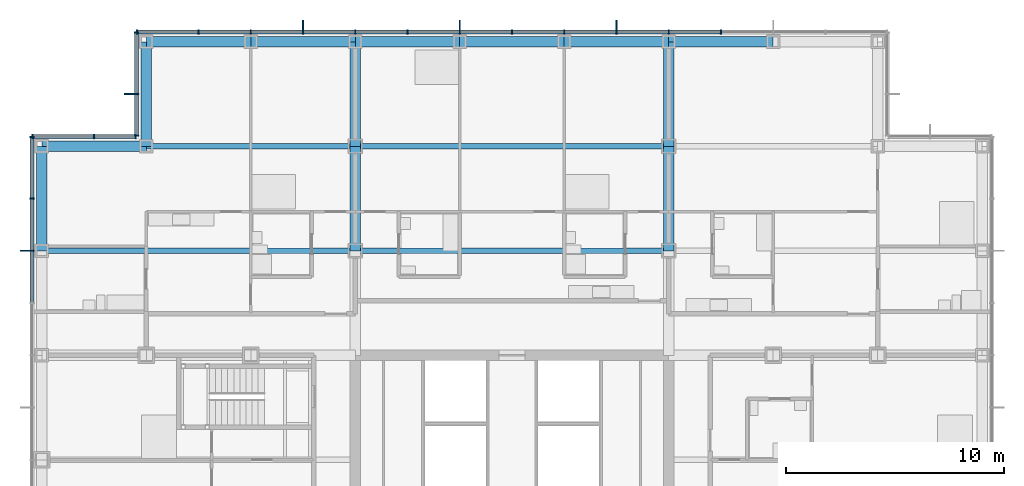
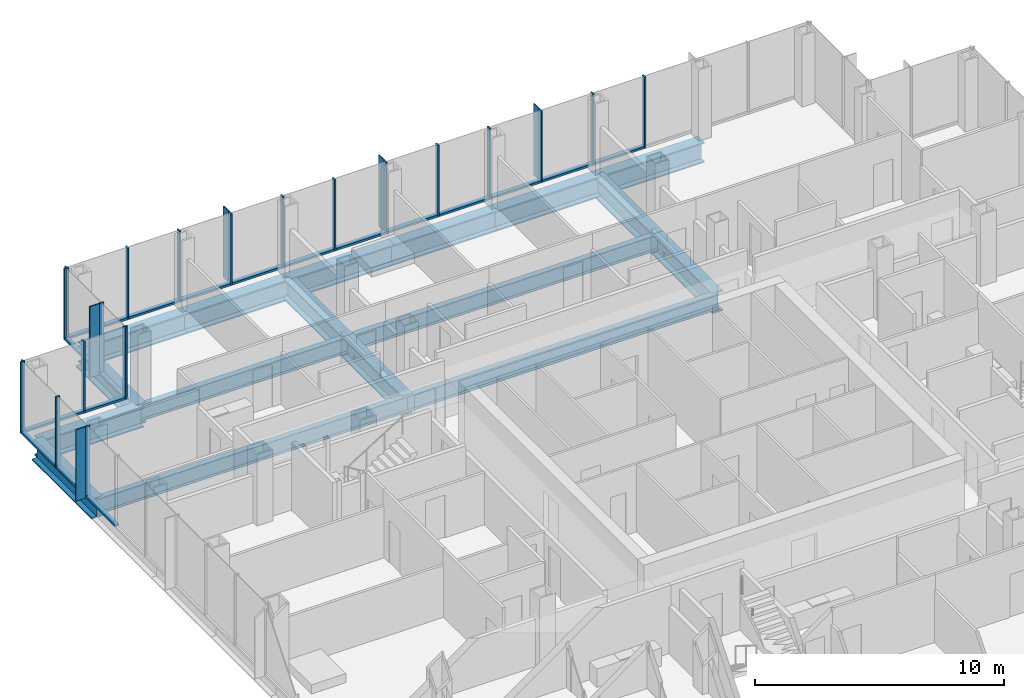
# One storey, part 10 of 21: 44 members, 17 beams, 4 elements without a shape of their own.
"""IFC4 building model written with IfcOpenShell, lengths in metres."""

from ifc_helpers import new_model, si_unit, direction, frame, origin, origin_2d, place, context, subcontext, project, spatial, rectangle, i_section, extrude, material, material_profile, profile_set, type_object, element, aggregate, save


model = new_model("IFC4")

# Units and contexts
model_context = context("Model", 3, precision=1e-05, world=origin(), true_north=direction((0.0, 1.0)))
body_context = subcontext(model_context, "Body", "Model", "MODEL_VIEW")
ifc_project = project(units=[si_unit("LENGTHUNIT", "METRE"), si_unit("AREAUNIT", "SQUARE_METRE"), si_unit("VOLUMEUNIT", "CUBIC_METRE"), si_unit("PLANEANGLEUNIT", "RADIAN"), si_unit("MASSUNIT", "GRAM", prefix="KILO")], contexts=[model_context])

# Site, building, storey
site_placement = place(None, origin())
site = spatial("IfcSite", under=ifc_project, at=site_placement, CompositionType="ELEMENT")
building_placement = place(site_placement, origin())
building = spatial("IfcBuilding", under=site, at=building_placement, Name="Kvirike Care Tower", CompositionType="ELEMENT")
storey_placement = place(building_placement, frame((0.0, 0.0, 62.0)))
storey = spatial("IfcBuildingStorey", under=building, at=storey_placement, Name="L16", CompositionType="ELEMENT", Elevation=62.0)

# Curtain wall, member
ifc_material_1 = material(Name="Anodised aluminium stick system", Category="aluminium")
curtain_wall_type = type_object("IfcCurtainWallType", Name="CW-A STICK CURTAIN WALL", PredefinedType="NOTDEFINED", material=ifc_material_1)
curtain_wall_1_placement = place(storey_placement, origin())
curtain_wall_1 = element("IfcCurtainWall", 1, at=curtain_wall_1_placement, inside=storey, type_object=curtain_wall_type, Name="Curtain wall L16 face 1", PredefinedType="NOTDEFINED")
ifc_material_2 = material(Name="Bronze anodised aluminium fin", Category="aluminium")
ifc_material_profile_1 = material_profile(ifc_material_2, rectangle(XDim=0.050048828125, YDim=0.449951171875, at=origin_2d()), Name="BRONZE FIN 450")
ifc_profile_set_1 = profile_set([ifc_material_profile_1], Name="Bronze anodised aluminium fin")
member_type_1 = type_object("IfcMemberType", Name="BRONZE FIN 450", PredefinedType="USERDEFINED", material=ifc_profile_set_1)
member_1_placement = place(storey_placement, frame((-0.77490234375, 48.0, 0.0), z_axis=(0.0, 0.0, 1.0), x_axis=(0.0, -1.0, 0.0)))
member_1 = element("IfcMember", 2, at=member_1_placement, type_object=member_type_1, Name="Bronze fin L16 face 1.3", ObjectType="FIN", PredefinedType="USERDEFINED", context=body_context, shape_type="SweptSolid", body=[
    extrude(rectangle(XDim=0.050048828125, YDim=0.449951171875, at=origin_2d()), origin(), (0.0, 0.0, 1.0), 3.5),
])

# Curtain wall, members
curtain_wall_2_placement = place(storey_placement, origin())
curtain_wall_2 = element("IfcCurtainWall", 3, at=curtain_wall_2_placement, inside=storey, type_object=curtain_wall_type, Name="Curtain wall L16 face 10", PredefinedType="NOTDEFINED")
member_2_placement = place(storey_placement, frame((26.39990234375, 58.375, 0.0), z_axis=(0.0, 0.0, 1.0), x_axis=(-1.0, 0.0, 0.0)))
member_2 = element("IfcMember", 4, at=member_2_placement, type_object=member_type_1, Name="Bronze fin L16 face 10.6", ObjectType="FIN", PredefinedType="USERDEFINED", context=body_context, shape_type="SweptSolid", body=[
    extrude(rectangle(XDim=0.050048828125, YDim=0.449951171875, at=origin_2d()), origin(), (0.0, 0.0, 1.0), 3.5),
])
member_3_placement = place(storey_placement, frame((19.199951171875, 58.375, 0.0), z_axis=(0.0, 0.0, 1.0), x_axis=(-1.0, 0.0, 0.0)))
member_3 = element("IfcMember", 5, at=member_3_placement, type_object=member_type_1, Name="Bronze fin L16 face 10.9", ObjectType="FIN", PredefinedType="USERDEFINED", context=body_context, shape_type="SweptSolid", body=[
    extrude(rectangle(XDim=0.050048828125, YDim=0.449951171875, at=origin_2d()), origin(), (0.0, 0.0, 1.0), 3.5),
])
member_4_placement = place(storey_placement, frame((12.0, 58.375, 0.0), z_axis=(0.0, 0.0, 1.0), x_axis=(-1.0, 0.0, 0.0)))
member_4 = element("IfcMember", 6, at=member_4_placement, type_object=member_type_1, Name="Bronze fin L16 face 10.12", ObjectType="FIN", PredefinedType="USERDEFINED", context=body_context, shape_type="SweptSolid", body=[
    extrude(rectangle(XDim=0.050048828125, YDim=0.449951171875, at=origin_2d()), origin(), (0.0, 0.0, 1.0), 3.5),
])

# Curtain wall, member
curtain_wall_3_placement = place(storey_placement, origin())
curtain_wall_3 = element("IfcCurtainWall", 7, at=curtain_wall_3_placement, inside=storey, type_object=curtain_wall_type, Name="Curtain wall L16 face 11", PredefinedType="NOTDEFINED")
member_5_placement = place(storey_placement, frame((4.02490234375, 55.199951171875, 0.0), z_axis=(0.0, 0.0, 1.0), x_axis=(0.0, -1.0, 0.0)))
member_5 = element("IfcMember", 8, at=member_5_placement, type_object=member_type_1, Name="Bronze fin L16 face 11.2", ObjectType="FIN", PredefinedType="USERDEFINED", context=body_context, shape_type="SweptSolid", body=[
    extrude(rectangle(XDim=0.050048828125, YDim=0.449951171875, at=origin_2d()), origin(), (0.0, 0.0, 1.0), 3.5),
])

# Member
ifc_material_3 = material(Name="Bronze anodised aluminium mullion", Category="aluminium")
ifc_material_profile_2 = material_profile(ifc_material_3, rectangle(XDim=0.06494140625, YDim=0.199951171875, at=origin_2d()), Name="CW-A MULLION 65x200")
ifc_profile_set_2 = profile_set([ifc_material_profile_2], Name="Bronze anodised aluminium mullion")
member_type_2 = type_object("IfcMemberType", Name="CW-A MULLION 65x200", PredefinedType="MULLION", material=ifc_profile_set_2)
member_6_placement = place(storey_placement, frame((-0.449951171875, 53.217529296875, 0.0), z_axis=(0.0, 0.0, 1.0), x_axis=(0.0, -1.0, 0.0)))
member_6 = element("IfcMember", 9, at=member_6_placement, type_object=member_type_2, Name="CW-A mullion L16 face 1.1", PredefinedType="MULLION", context=body_context, shape_type="SweptSolid", body=[
    extrude(rectangle(XDim=0.06494140625, YDim=0.199951171875, at=origin_2d()), origin(), (0.0, 0.0, 1.0), 3.5),
])

member_7_placement = place(storey_placement, frame((-0.449951171875, 50.39990234375, 0.0), z_axis=(0.0, 0.0, 1.0), x_axis=(0.0, -1.0, 0.0)))
member_7 = element("IfcMember", 10, at=member_7_placement, type_object=member_type_2, Name="CW-A mullion L16 face 1.2", PredefinedType="MULLION", context=body_context, shape_type="SweptSolid", body=[
    extrude(rectangle(XDim=0.06494140625, YDim=0.199951171875, at=origin_2d()), origin(), (0.0, 0.0, 1.0), 3.5),
])

member_8_placement = place(storey_placement, frame((-0.449951171875, 48.0, 0.0), z_axis=(0.0, 0.0, 1.0), x_axis=(0.0, -1.0, 0.0)))
member_8 = element("IfcMember", 11, at=member_8_placement, type_object=member_type_2, Name="CW-A mullion L16 face 1.3", PredefinedType="MULLION", context=body_context, shape_type="SweptSolid", body=[
    extrude(rectangle(XDim=0.06494140625, YDim=0.199951171875, at=origin_2d()), origin(), (0.0, 0.0, 1.0), 3.5),
])

member_9_placement = place(storey_placement, frame((31.199951171875, 58.050048828125, 0.0), z_axis=(0.0, 0.0, 1.0), x_axis=(-1.0, 0.0, 0.0)))
member_9 = element("IfcMember", 12, at=member_9_placement, type_object=member_type_2, Name="CW-A mullion L16 face 10.4", PredefinedType="MULLION", context=body_context, shape_type="SweptSolid", body=[
    extrude(rectangle(XDim=0.06494140625, YDim=0.199951171875, at=origin_2d()), origin(), (0.0, 0.0, 1.0), 3.5),
])

member_10_placement = place(storey_placement, frame((28.800048828125, 58.050048828125, 0.0), z_axis=(0.0, 0.0, 1.0), x_axis=(-1.0, 0.0, 0.0)))
member_10 = element("IfcMember", 13, at=member_10_placement, type_object=member_type_2, Name="CW-A mullion L16 face 10.5", PredefinedType="MULLION", context=body_context, shape_type="SweptSolid", body=[
    extrude(rectangle(XDim=0.06494140625, YDim=0.199951171875, at=origin_2d()), origin(), (0.0, 0.0, 1.0), 3.5),
])

member_11_placement = place(storey_placement, frame((26.39990234375, 58.050048828125, 0.0), z_axis=(0.0, 0.0, 1.0), x_axis=(-1.0, 0.0, 0.0)))
member_11 = element("IfcMember", 14, at=member_11_placement, type_object=member_type_2, Name="CW-A mullion L16 face 10.6", PredefinedType="MULLION", context=body_context, shape_type="SweptSolid", body=[
    extrude(rectangle(XDim=0.06494140625, YDim=0.199951171875, at=origin_2d()), origin(), (0.0, 0.0, 1.0), 3.5),
])

member_12_placement = place(storey_placement, frame((24.0, 58.050048828125, 0.0), z_axis=(0.0, 0.0, 1.0), x_axis=(-1.0, 0.0, 0.0)))
member_12 = element("IfcMember", 15, at=member_12_placement, type_object=member_type_2, Name="CW-A mullion L16 face 10.7", PredefinedType="MULLION", context=body_context, shape_type="SweptSolid", body=[
    extrude(rectangle(XDim=0.06494140625, YDim=0.199951171875, at=origin_2d()), origin(), (0.0, 0.0, 1.0), 3.5),
])

member_13_placement = place(storey_placement, frame((21.60009765625, 58.050048828125, 0.0), z_axis=(0.0, 0.0, 1.0), x_axis=(-1.0, 0.0, 0.0)))
member_13 = element("IfcMember", 16, at=member_13_placement, type_object=member_type_2, Name="CW-A mullion L16 face 10.8", PredefinedType="MULLION", context=body_context, shape_type="SweptSolid", body=[
    extrude(rectangle(XDim=0.06494140625, YDim=0.199951171875, at=origin_2d()), origin(), (0.0, 0.0, 1.0), 3.5),
])

member_14_placement = place(storey_placement, frame((19.199951171875, 58.050048828125, 0.0), z_axis=(0.0, 0.0, 1.0), x_axis=(-1.0, 0.0, 0.0)))
member_14 = element("IfcMember", 17, at=member_14_placement, type_object=member_type_2, Name="CW-A mullion L16 face 10.9", PredefinedType="MULLION", context=body_context, shape_type="SweptSolid", body=[
    extrude(rectangle(XDim=0.06494140625, YDim=0.199951171875, at=origin_2d()), origin(), (0.0, 0.0, 1.0), 3.5),
])

member_15_placement = place(storey_placement, frame((16.800048828125, 58.050048828125, 0.0), z_axis=(0.0, 0.0, 1.0), x_axis=(-1.0, 0.0, 0.0)))
member_15 = element("IfcMember", 18, at=member_15_placement, type_object=member_type_2, Name="CW-A mullion L16 face 10.10", PredefinedType="MULLION", context=body_context, shape_type="SweptSolid", body=[
    extrude(rectangle(XDim=0.06494140625, YDim=0.199951171875, at=origin_2d()), origin(), (0.0, 0.0, 1.0), 3.5),
])

member_16_placement = place(storey_placement, frame((14.39990234375, 58.050048828125, 0.0), z_axis=(0.0, 0.0, 1.0), x_axis=(-1.0, 0.0, 0.0)))
member_16 = element("IfcMember", 19, at=member_16_placement, type_object=member_type_2, Name="CW-A mullion L16 face 10.11", PredefinedType="MULLION", context=body_context, shape_type="SweptSolid", body=[
    extrude(rectangle(XDim=0.06494140625, YDim=0.199951171875, at=origin_2d()), origin(), (0.0, 0.0, 1.0), 3.5),
])

member_17_placement = place(storey_placement, frame((12.0, 58.050048828125, 0.0), z_axis=(0.0, 0.0, 1.0), x_axis=(-1.0, 0.0, 0.0)))
member_17 = element("IfcMember", 20, at=member_17_placement, type_object=member_type_2, Name="CW-A mullion L16 face 10.12", PredefinedType="MULLION", context=body_context, shape_type="SweptSolid", body=[
    extrude(rectangle(XDim=0.06494140625, YDim=0.199951171875, at=origin_2d()), origin(), (0.0, 0.0, 1.0), 3.5),
])

member_18_placement = place(storey_placement, frame((9.60009765625, 58.050048828125, 0.0), z_axis=(0.0, 0.0, 1.0), x_axis=(-1.0, 0.0, 0.0)))
member_18 = element("IfcMember", 21, at=member_18_placement, type_object=member_type_2, Name="CW-A mullion L16 face 10.13", PredefinedType="MULLION", context=body_context, shape_type="SweptSolid", body=[
    extrude(rectangle(XDim=0.06494140625, YDim=0.199951171875, at=origin_2d()), origin(), (0.0, 0.0, 1.0), 3.5),
])

member_19_placement = place(storey_placement, frame((7.199951171875, 58.050048828125, 0.0), z_axis=(0.0, 0.0, 1.0), x_axis=(-1.0, 0.0, 0.0)))
member_19 = element("IfcMember", 22, at=member_19_placement, type_object=member_type_2, Name="CW-A mullion L16 face 10.14", PredefinedType="MULLION", context=body_context, shape_type="SweptSolid", body=[
    extrude(rectangle(XDim=0.06494140625, YDim=0.199951171875, at=origin_2d()), origin(), (0.0, 0.0, 1.0), 3.5),
])

member_20_placement = place(storey_placement, frame((4.382568359375, 58.050048828125, 0.0), z_axis=(0.0, 0.0, 1.0), x_axis=(-1.0, 0.0, 0.0)))
member_20 = element("IfcMember", 23, at=member_20_placement, type_object=member_type_2, Name="CW-A mullion L16 face 10.15", PredefinedType="MULLION", context=body_context, shape_type="SweptSolid", body=[
    extrude(rectangle(XDim=0.06494140625, YDim=0.199951171875, at=origin_2d()), origin(), (0.0, 0.0, 1.0), 3.5),
])

member_21_placement = place(storey_placement, frame((4.35009765625, 58.017578125, 0.0), z_axis=(0.0, 0.0, 1.0), x_axis=(0.0, -1.0, 0.0)))
member_21 = element("IfcMember", 24, at=member_21_placement, type_object=member_type_2, Name="CW-A mullion L16 face 11.1", PredefinedType="MULLION", context=body_context, shape_type="SweptSolid", body=[
    extrude(rectangle(XDim=0.06494140625, YDim=0.199951171875, at=origin_2d()), origin(), (0.0, 0.0, 1.0), 3.5),
])

member_22_placement = place(storey_placement, frame((4.35009765625, 55.199951171875, 0.0), z_axis=(0.0, 0.0, 1.0), x_axis=(0.0, -1.0, 0.0)))
member_22 = element("IfcMember", 25, at=member_22_placement, type_object=member_type_2, Name="CW-A mullion L16 face 11.2", PredefinedType="MULLION", context=body_context, shape_type="SweptSolid", body=[
    extrude(rectangle(XDim=0.06494140625, YDim=0.199951171875, at=origin_2d()), origin(), (0.0, 0.0, 1.0), 3.5),
])

member_23_placement = place(storey_placement, frame((4.35009765625, 53.282470703125, 0.0), z_axis=(0.0, 0.0, 1.0), x_axis=(0.0, -1.0, 0.0)))
member_23 = element("IfcMember", 26, at=member_23_placement, type_object=member_type_2, Name="CW-A mullion L16 face 11.3", PredefinedType="MULLION", context=body_context, shape_type="SweptSolid", body=[
    extrude(rectangle(XDim=0.06494140625, YDim=0.199951171875, at=origin_2d()), origin(), (0.0, 0.0, 1.0), 3.5),
])

# Curtain wall, members
curtain_wall_4_placement = place(storey_placement, origin())
curtain_wall_4 = element("IfcCurtainWall", 27, at=curtain_wall_4_placement, inside=storey, type_object=curtain_wall_type, Name="Curtain wall L16 face 12", PredefinedType="NOTDEFINED")
member_24_placement = place(storey_placement, frame((4.3173828125, 53.25, 0.0), z_axis=(0.0, 0.0, 1.0), x_axis=(-1.0, 0.0, 0.0)))
member_24 = element("IfcMember", 28, at=member_24_placement, type_object=member_type_2, Name="CW-A mullion L16 face 12.1", PredefinedType="MULLION", context=body_context, shape_type="SweptSolid", body=[
    extrude(rectangle(XDim=0.06494140625, YDim=0.199951171875, at=origin_2d()), origin(), (0.0, 0.0, 1.0), 3.5),
])
member_25_placement = place(storey_placement, frame((2.39990234375, 53.25, 0.0), z_axis=(0.0, 0.0, 1.0), x_axis=(-1.0, 0.0, 0.0)))
member_25 = element("IfcMember", 29, at=member_25_placement, type_object=member_type_2, Name="CW-A mullion L16 face 12.2", PredefinedType="MULLION", context=body_context, shape_type="SweptSolid", body=[
    extrude(rectangle(XDim=0.06494140625, YDim=0.199951171875, at=origin_2d()), origin(), (0.0, 0.0, 1.0), 3.5),
])
member_26_placement = place(storey_placement, frame((-0.41748046875, 53.25, 0.0), z_axis=(0.0, 0.0, 1.0), x_axis=(-1.0, 0.0, 0.0)))
member_26 = element("IfcMember", 30, at=member_26_placement, type_object=member_type_2, Name="CW-A mullion L16 face 12.3", PredefinedType="MULLION", context=body_context, shape_type="SweptSolid", body=[
    extrude(rectangle(XDim=0.06494140625, YDim=0.199951171875, at=origin_2d()), origin(), (0.0, 0.0, 1.0), 3.5),
])

# Member
ifc_material_4 = material(Name="Bronze anodised aluminium transom", Category="aluminium")
ifc_material_profile_3 = material_profile(ifc_material_4, rectangle(XDim=0.199951171875, YDim=0.10009765625, at=origin_2d()), Name="CW-A TRANSOM 200x100")
ifc_profile_set_3 = profile_set([ifc_material_profile_3], Name="Bronze anodised aluminium transom")
member_type_3 = type_object("IfcMemberType", Name="CW-A TRANSOM 200x100", PredefinedType="USERDEFINED", material=ifc_profile_set_3)
member_27_placement = place(storey_placement, frame((-0.449951171875, 53.18505859375, 0.050048828125), z_axis=(0.0, -1.0, 0.0), x_axis=(1.0, 0.0, 0.0)))
member_27 = element("IfcMember", 31, at=member_27_placement, type_object=member_type_3, Name="CW-A sill transom L16 face 1.1", ObjectType="TRANSOM", PredefinedType="USERDEFINED", context=body_context, shape_type="SweptSolid", body=[
    extrude(rectangle(XDim=0.199951171875, YDim=0.10009765625, at=origin_2d()), origin(), (0.0, 0.0, 1.0), 2.75244140625),
])

member_28_placement = place(storey_placement, frame((-0.449951171875, 50.367431640625, 0.050048828125), z_axis=(0.0, -1.0, 0.0), x_axis=(1.0, 0.0, 0.0)))
member_28 = element("IfcMember", 32, at=member_28_placement, type_object=member_type_3, Name="CW-A sill transom L16 face 1.2", ObjectType="TRANSOM", PredefinedType="USERDEFINED", context=body_context, shape_type="SweptSolid", body=[
    extrude(rectangle(XDim=0.199951171875, YDim=0.10009765625, at=origin_2d()), origin(), (0.0, 0.0, 1.0), 2.3349609375),
])

member_29_placement = place(storey_placement, frame((-0.449951171875, 47.967529296875, 0.050048828125), z_axis=(0.0, -1.0, 0.0), x_axis=(1.0, 0.0, 0.0)))
member_29 = element("IfcMember", 33, at=member_29_placement, type_object=member_type_3, Name="CW-A sill transom L16 face 1.3", ObjectType="TRANSOM", PredefinedType="USERDEFINED", context=body_context, shape_type="SweptSolid", body=[
    extrude(rectangle(XDim=0.199951171875, YDim=0.10009765625, at=origin_2d()), origin(), (0.0, 0.0, 1.0), 2.3349609375),
])

aggregate(curtain_wall_1, [member_6, member_7, member_8, member_1, member_27, member_28, member_29])

member_30_placement = place(storey_placement, frame((31.16748046875, 58.050048828125, 0.050048828125), z_axis=(-1.0, 0.0, 0.0), x_axis=(0.0, -1.0, 0.0)))
member_30 = element("IfcMember", 34, at=member_30_placement, type_object=member_type_3, Name="CW-A sill transom L16 face 10.4", ObjectType="TRANSOM", PredefinedType="USERDEFINED", context=body_context, shape_type="SweptSolid", body=[
    extrude(rectangle(XDim=0.199951171875, YDim=0.10009765625, at=origin_2d()), origin(), (0.0, 0.0, 1.0), 2.3349609375),
])

member_31_placement = place(storey_placement, frame((28.767578125, 58.050048828125, 0.050048828125), z_axis=(-1.0, 0.0, 0.0), x_axis=(0.0, -1.0, 0.0)))
member_31 = element("IfcMember", 35, at=member_31_placement, type_object=member_type_3, Name="CW-A sill transom L16 face 10.5", ObjectType="TRANSOM", PredefinedType="USERDEFINED", context=body_context, shape_type="SweptSolid", body=[
    extrude(rectangle(XDim=0.199951171875, YDim=0.10009765625, at=origin_2d()), origin(), (0.0, 0.0, 1.0), 2.3349609375),
])

member_32_placement = place(storey_placement, frame((26.367431640625, 58.050048828125, 0.050048828125), z_axis=(-1.0, 0.0, 0.0), x_axis=(0.0, -1.0, 0.0)))
member_32 = element("IfcMember", 36, at=member_32_placement, type_object=member_type_3, Name="CW-A sill transom L16 face 10.6", ObjectType="TRANSOM", PredefinedType="USERDEFINED", context=body_context, shape_type="SweptSolid", body=[
    extrude(rectangle(XDim=0.199951171875, YDim=0.10009765625, at=origin_2d()), origin(), (0.0, 0.0, 1.0), 2.3349609375),
])

member_33_placement = place(storey_placement, frame((23.967529296875, 58.050048828125, 0.050048828125), z_axis=(-1.0, 0.0, 0.0), x_axis=(0.0, -1.0, 0.0)))
member_33 = element("IfcMember", 37, at=member_33_placement, type_object=member_type_3, Name="CW-A sill transom L16 face 10.7", ObjectType="TRANSOM", PredefinedType="USERDEFINED", context=body_context, shape_type="SweptSolid", body=[
    extrude(rectangle(XDim=0.199951171875, YDim=0.10009765625, at=origin_2d()), origin(), (0.0, 0.0, 1.0), 2.3349609375),
])

member_34_placement = place(storey_placement, frame((21.5673828125, 58.050048828125, 0.050048828125), z_axis=(-1.0, 0.0, 0.0), x_axis=(0.0, -1.0, 0.0)))
member_34 = element("IfcMember", 38, at=member_34_placement, type_object=member_type_3, Name="CW-A sill transom L16 face 10.8", ObjectType="TRANSOM", PredefinedType="USERDEFINED", context=body_context, shape_type="SweptSolid", body=[
    extrude(rectangle(XDim=0.199951171875, YDim=0.10009765625, at=origin_2d()), origin(), (0.0, 0.0, 1.0), 2.3349609375),
])

member_35_placement = place(storey_placement, frame((19.16748046875, 58.050048828125, 0.050048828125), z_axis=(-1.0, 0.0, 0.0), x_axis=(0.0, -1.0, 0.0)))
member_35 = element("IfcMember", 39, at=member_35_placement, type_object=member_type_3, Name="CW-A sill transom L16 face 10.9", ObjectType="TRANSOM", PredefinedType="USERDEFINED", context=body_context, shape_type="SweptSolid", body=[
    extrude(rectangle(XDim=0.199951171875, YDim=0.10009765625, at=origin_2d()), origin(), (0.0, 0.0, 1.0), 2.3349609375),
])

member_36_placement = place(storey_placement, frame((16.767578125, 58.050048828125, 0.050048828125), z_axis=(-1.0, 0.0, 0.0), x_axis=(0.0, -1.0, 0.0)))
member_36 = element("IfcMember", 40, at=member_36_placement, type_object=member_type_3, Name="CW-A sill transom L16 face 10.10", ObjectType="TRANSOM", PredefinedType="USERDEFINED", context=body_context, shape_type="SweptSolid", body=[
    extrude(rectangle(XDim=0.199951171875, YDim=0.10009765625, at=origin_2d()), origin(), (0.0, 0.0, 1.0), 2.3349609375),
])

member_37_placement = place(storey_placement, frame((14.367431640625, 58.050048828125, 0.050048828125), z_axis=(-1.0, 0.0, 0.0), x_axis=(0.0, -1.0, 0.0)))
member_37 = element("IfcMember", 41, at=member_37_placement, type_object=member_type_3, Name="CW-A sill transom L16 face 10.11", ObjectType="TRANSOM", PredefinedType="USERDEFINED", context=body_context, shape_type="SweptSolid", body=[
    extrude(rectangle(XDim=0.199951171875, YDim=0.10009765625, at=origin_2d()), origin(), (0.0, 0.0, 1.0), 2.3349609375),
])

member_38_placement = place(storey_placement, frame((11.967529296875, 58.050048828125, 0.050048828125), z_axis=(-1.0, 0.0, 0.0), x_axis=(0.0, -1.0, 0.0)))
member_38 = element("IfcMember", 42, at=member_38_placement, type_object=member_type_3, Name="CW-A sill transom L16 face 10.12", ObjectType="TRANSOM", PredefinedType="USERDEFINED", context=body_context, shape_type="SweptSolid", body=[
    extrude(rectangle(XDim=0.199951171875, YDim=0.10009765625, at=origin_2d()), origin(), (0.0, 0.0, 1.0), 2.3349609375),
])

member_39_placement = place(storey_placement, frame((9.5673828125, 58.050048828125, 0.050048828125), z_axis=(-1.0, 0.0, 0.0), x_axis=(0.0, -1.0, 0.0)))
member_39 = element("IfcMember", 43, at=member_39_placement, type_object=member_type_3, Name="CW-A sill transom L16 face 10.13", ObjectType="TRANSOM", PredefinedType="USERDEFINED", context=body_context, shape_type="SweptSolid", body=[
    extrude(rectangle(XDim=0.199951171875, YDim=0.10009765625, at=origin_2d()), origin(), (0.0, 0.0, 1.0), 2.3349609375),
])

member_40_placement = place(storey_placement, frame((7.16748046875, 58.050048828125, 0.050048828125), z_axis=(-1.0, 0.0, 0.0), x_axis=(0.0, -1.0, 0.0)))
member_40 = element("IfcMember", 44, at=member_40_placement, type_object=member_type_3, Name="CW-A sill transom L16 face 10.14", ObjectType="TRANSOM", PredefinedType="USERDEFINED", context=body_context, shape_type="SweptSolid", body=[
    extrude(rectangle(XDim=0.199951171875, YDim=0.10009765625, at=origin_2d()), origin(), (0.0, 0.0, 1.0), 2.75244140625),
])

aggregate(curtain_wall_2, [member_9, member_10, member_11, member_2, member_12, member_13, member_14, member_3, member_15, member_16, member_17, member_4, member_18, member_19, member_20, member_30, member_31, member_32, member_33, member_34, member_35, member_36, member_37, member_38, member_39, member_40])

member_41_placement = place(storey_placement, frame((4.35009765625, 57.985107421875, 0.050048828125), z_axis=(0.0, -1.0, 0.0), x_axis=(1.0, 0.0, 0.0)))
member_41 = element("IfcMember", 45, at=member_41_placement, type_object=member_type_3, Name="CW-A sill transom L16 face 11.1", ObjectType="TRANSOM", PredefinedType="USERDEFINED", context=body_context, shape_type="SweptSolid", body=[
    extrude(rectangle(XDim=0.199951171875, YDim=0.10009765625, at=origin_2d()), origin(), (0.0, 0.0, 1.0), 2.752685546875),
])

member_42_placement = place(storey_placement, frame((4.35009765625, 55.16748046875, 0.050048828125), z_axis=(0.0, -1.0, 0.0), x_axis=(1.0, 0.0, 0.0)))
member_42 = element("IfcMember", 46, at=member_42_placement, type_object=member_type_3, Name="CW-A sill transom L16 face 11.2", ObjectType="TRANSOM", PredefinedType="USERDEFINED", context=body_context, shape_type="SweptSolid", body=[
    extrude(rectangle(XDim=0.199951171875, YDim=0.10009765625, at=origin_2d()), origin(), (0.0, 0.0, 1.0), 1.8525390625),
])

aggregate(curtain_wall_3, [member_21, member_22, member_5, member_23, member_41, member_42])

member_43_placement = place(storey_placement, frame((4.284912109375, 53.25, 0.050048828125), z_axis=(-1.0, 0.0, 0.0), x_axis=(0.0, -1.0, 0.0)))
member_43 = element("IfcMember", 47, at=member_43_placement, type_object=member_type_3, Name="CW-A sill transom L16 face 12.1", ObjectType="TRANSOM", PredefinedType="USERDEFINED", context=body_context, shape_type="SweptSolid", body=[
    extrude(rectangle(XDim=0.199951171875, YDim=0.10009765625, at=origin_2d()), origin(), (0.0, 0.0, 1.0), 1.852294921875),
])

member_44_placement = place(storey_placement, frame((2.367431640625, 53.25, 0.050048828125), z_axis=(-1.0, 0.0, 0.0), x_axis=(0.0, -1.0, 0.0)))
member_44 = element("IfcMember", 48, at=member_44_placement, type_object=member_type_3, Name="CW-A sill transom L16 face 12.2", ObjectType="TRANSOM", PredefinedType="USERDEFINED", context=body_context, shape_type="SweptSolid", body=[
    extrude(rectangle(XDim=0.199951171875, YDim=0.10009765625, at=origin_2d()), origin(), (0.0, 0.0, 1.0), 2.75244140625),
])

aggregate(curtain_wall_4, [member_24, member_25, member_26, member_43, member_44])

# Beams
ifc_material_5 = material(Name="Steel S355", Category="steel")
ifc_material_profile_4 = material_profile(ifc_material_5, i_section(OverallWidth=0.26806640625, OverallDepth=0.77001953125, WebThickness=0.015625, FlangeThickness=0.025390625, FilletRadius=0.01708984375, at=origin_2d()), Name="IPE 750x196")
ifc_profile_set_4 = profile_set([ifc_material_profile_4], Name="Steel S355")
beam_type_1 = type_object("IfcBeamType", Name="FLOOR BEAM IPE 750x196", PredefinedType="BEAM", material=ifc_profile_set_4)
beam_1_placement = place(storey_placement, frame((0.0, 48.0, -0.554931640625), z_axis=(1.0, 0.0, 0.0), x_axis=(0.0, 1.0, 0.0)))
element("IfcBeam", 49, at=beam_1_placement, inside=storey, type_object=beam_type_1, Name="Floor Beam L3-L6 L16", PredefinedType="BEAM", context=body_context, shape_type="SweptSolid", body=[
    extrude(i_section(OverallWidth=0.26806640625, OverallDepth=0.77001953125, WebThickness=0.015625, FlangeThickness=0.025390625, FilletRadius=0.01708984375, at=origin_2d()), origin(), (0.0, 0.0, 1.0), 14.39990234375),
])
beam_2_placement = place(storey_placement, frame((14.39990234375, 48.0, -0.554931640625), z_axis=(1.0, 0.0, 0.0), x_axis=(0.0, 1.0, 0.0)))
element("IfcBeam", 50, at=beam_2_placement, inside=storey, type_object=beam_type_1, Name="Floor Beam L6-L9 L16", PredefinedType="BEAM", context=body_context, shape_type="SweptSolid", body=[
    extrude(i_section(OverallWidth=0.26806640625, OverallDepth=0.77001953125, WebThickness=0.015625, FlangeThickness=0.025390625, FilletRadius=0.01708984375, at=origin_2d()), origin(), (0.0, 0.0, 1.0), 14.400146484375),
])
beam_3_placement = place(storey_placement, frame((4.800048828125, 52.800048828125, -0.554931640625), z_axis=(1.0, 0.0, 0.0), x_axis=(0.0, 1.0, 0.0)))
element("IfcBeam", 51, at=beam_3_placement, inside=storey, type_object=beam_type_1, Name="Floor Beam M4-M6 L16", PredefinedType="BEAM", context=body_context, shape_type="SweptSolid", body=[
    extrude(i_section(OverallWidth=0.26806640625, OverallDepth=0.77001953125, WebThickness=0.015625, FlangeThickness=0.025390625, FilletRadius=0.01708984375, at=origin_2d()), origin(), (0.0, 0.0, 1.0), 9.599853515625),
])
beam_4_placement = place(storey_placement, frame((14.39990234375, 52.800048828125, -0.554931640625), z_axis=(1.0, 0.0, 0.0), x_axis=(0.0, 1.0, 0.0)))
element("IfcBeam", 52, at=beam_4_placement, inside=storey, type_object=beam_type_1, Name="Floor Beam M6-M9 L16", PredefinedType="BEAM", context=body_context, shape_type="SweptSolid", body=[
    extrude(i_section(OverallWidth=0.26806640625, OverallDepth=0.77001953125, WebThickness=0.015625, FlangeThickness=0.025390625, FilletRadius=0.01708984375, at=origin_2d()), origin(), (0.0, 0.0, 1.0), 14.400146484375),
])
ifc_material_6 = material(Name="Steel S355", Category="steel")
ifc_material_profile_5 = material_profile(ifc_material_6, i_section(OverallWidth=0.5, OverallDepth=1.0, WebThickness=0.030029296875, FlangeThickness=0.06005859375, at=origin_2d()), Name="PG 1000x500x30x60")
ifc_profile_set_5 = profile_set([ifc_material_profile_5], Name="Steel S355")
beam_type_2 = type_object("IfcBeamType", Name="FRAME BEAM PG 1000x500x30x60", PredefinedType="BEAM", material=ifc_profile_set_5)
for number, where, z_axis, x_axis, name in (
    (53, (14.39990234375, 48.0, -0.669921875), (0.0, 1.0, 0.0), (-1.0, 0.0, 0.0), "Frame Beam L6-M6 L16"),
    (54, (14.39990234375, 52.800048828125, -0.669921875), (0.0, 1.0, 0.0), (-1.0, 0.0, 0.0), "Frame Beam M6-N6 L16"),
    (55, (28.800048828125, 48.0, -0.669921875), (0.0, 1.0, 0.0), (-1.0, 0.0, 0.0), "Frame Beam L9-M9 L16"),
    (56, (28.800048828125, 52.800048828125, -0.669921875), (0.0, 1.0, 0.0), (-1.0, 0.0, 0.0), "Frame Beam M9-N9 L16"),
):
    element("IfcBeam", number, at=place(storey_placement, frame(where, z_axis=z_axis, x_axis=x_axis)), inside=storey, type_object=beam_type_2, Name=name, PredefinedType="BEAM", context=body_context, shape_type="SweptSolid", body=[
        extrude(i_section(OverallWidth=0.5, OverallDepth=1.0, WebThickness=0.030029296875, FlangeThickness=0.06005859375, at=origin_2d()), origin(), (0.0, 0.0, 1.0), 4.800048828125),
    ])
ifc_material_7 = material(Name="Steel S355", Category="steel")
ifc_material_profile_6 = material_profile(ifc_material_7, i_section(OverallWidth=0.5, OverallDepth=1.0, WebThickness=0.030029296875, FlangeThickness=0.06005859375, at=origin_2d()), Name="PG 1000x500x30x60")
ifc_profile_set_6 = profile_set([ifc_material_profile_6], Name="Steel S355")
beam_type_3 = type_object("IfcBeamType", Name="SPANDREL PG 1000x500x30x60", PredefinedType="SPANDREL", material=ifc_profile_set_6)
for number, where, z_axis, x_axis, name in (
    (57, (0.0, 52.800048828125, -0.669921875), (1.0, 0.0, 0.0), (0.0, 1.0, 0.0), "Spandrel M3-M4 L16"),
    (58, (4.800048828125, 57.60009765625, -0.669921875), (1.0, 0.0, 0.0), (0.0, 1.0, 0.0), "Spandrel N4-N5 L16"),
):
    element("IfcBeam", number, at=place(storey_placement, frame(where, z_axis=z_axis, x_axis=x_axis)), inside=storey, type_object=beam_type_3, Name=name, PredefinedType="SPANDREL", context=body_context, shape_type="SweptSolid", body=[
        extrude(i_section(OverallWidth=0.5, OverallDepth=1.0, WebThickness=0.030029296875, FlangeThickness=0.06005859375, at=origin_2d()), origin(), (0.0, 0.0, 1.0), 4.800048828125),
    ])
beam_5_placement = place(storey_placement, frame((9.60009765625, 57.60009765625, -0.669921875), z_axis=(1.0, 0.0, 0.0), x_axis=(0.0, 1.0, 0.0)))
element("IfcBeam", 59, at=beam_5_placement, inside=storey, type_object=beam_type_3, Name="Spandrel N5-N6 L16", PredefinedType="SPANDREL", context=body_context, shape_type="SweptSolid", body=[
    extrude(i_section(OverallWidth=0.5, OverallDepth=1.0, WebThickness=0.030029296875, FlangeThickness=0.06005859375, at=origin_2d()), origin(), (0.0, 0.0, 1.0), 4.7998046875),
])
for number, where, z_axis, x_axis, name in (
    (60, (14.39990234375, 57.60009765625, -0.669921875), (1.0, 0.0, 0.0), (0.0, 1.0, 0.0), "Spandrel N6-N7 L16"),
    (61, (19.199951171875, 57.60009765625, -0.669921875), (1.0, 0.0, 0.0), (0.0, 1.0, 0.0), "Spandrel N7-N8 L16"),
    (62, (24.0, 57.60009765625, -0.669921875), (1.0, 0.0, 0.0), (0.0, 1.0, 0.0), "Spandrel N8-N9 L16"),
    (63, (28.800048828125, 57.60009765625, -0.669921875), (1.0, 0.0, 0.0), (0.0, 1.0, 0.0), "Spandrel N9-N10 L16"),
    (64, (0.0, 48.0, -0.669921875), (0.0, 1.0, 0.0), (-1.0, 0.0, 0.0), "Spandrel L3-M3 L16"),
    (65, (4.800048828125, 52.800048828125, -0.669921875), (0.0, 1.0, 0.0), (-1.0, 0.0, 0.0), "Spandrel M4-N4 L16"),
):
    element("IfcBeam", number, at=place(storey_placement, frame(where, z_axis=z_axis, x_axis=x_axis)), inside=storey, type_object=beam_type_3, Name=name, PredefinedType="SPANDREL", context=body_context, shape_type="SweptSolid", body=[
        extrude(i_section(OverallWidth=0.5, OverallDepth=1.0, WebThickness=0.030029296875, FlangeThickness=0.06005859375, at=origin_2d()), origin(), (0.0, 0.0, 1.0), 4.800048828125),
    ])

save(model, "model.ifc")
